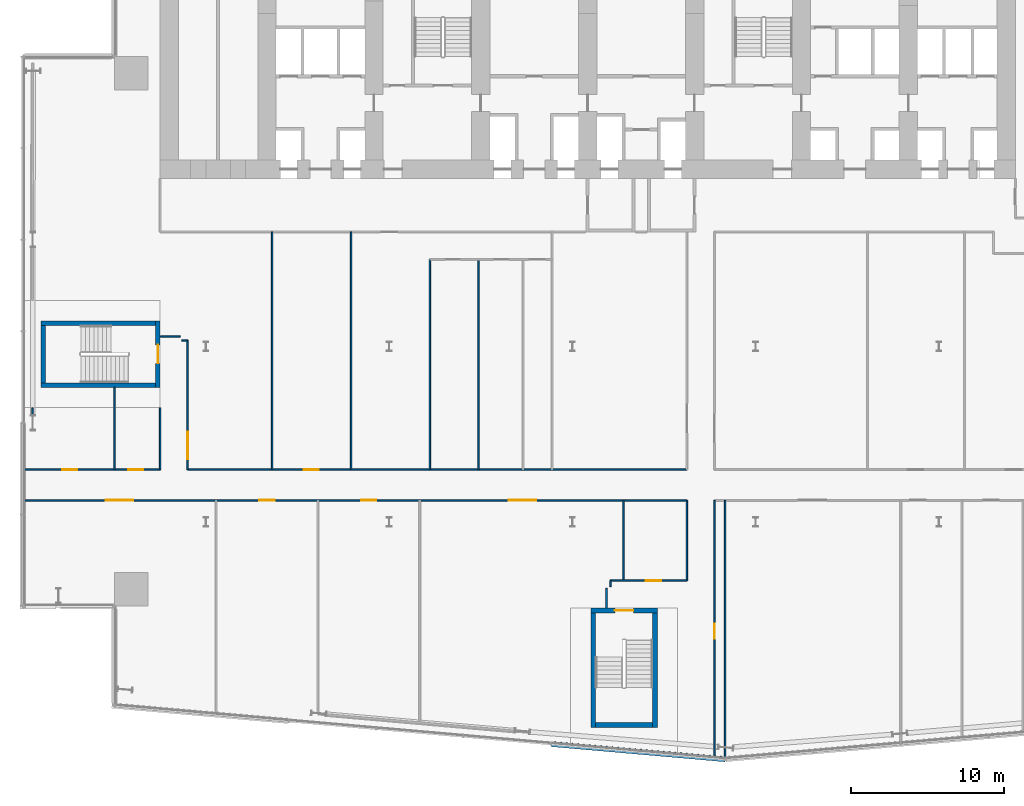
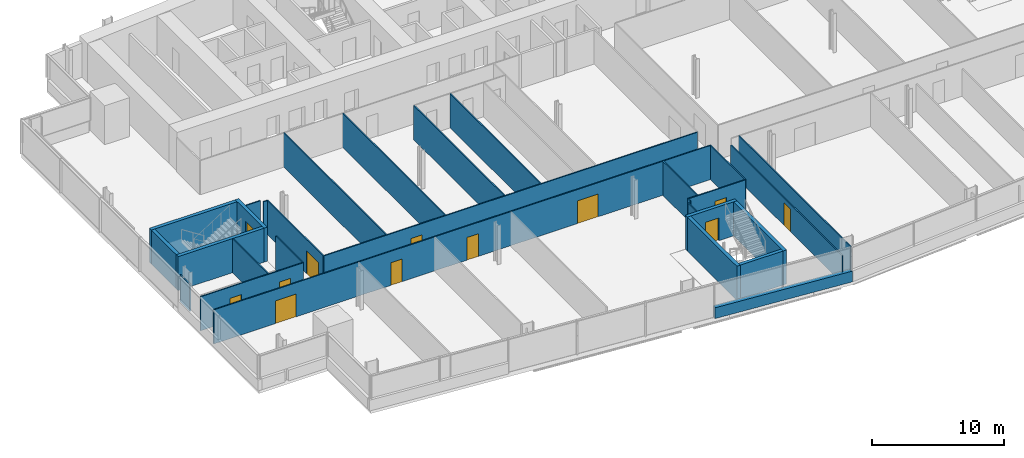
# One storey, part 13 of 24: 29 walls, 12 doors, 12 openings.
"""IFC4 building model written with IfcOpenShell, lengths in metres."""

from ifc_helpers import new_model, si_unit, direction, frame, frame_2d, origin, place, context, subcontext, project, spatial, rectangle, extrude, material, layer, layer_set, type_object, element, fill, save


model = new_model("IFC4")

# Units and contexts
model_context = context("Model", 3, precision=1e-05, world=origin(), true_north=direction((0.0, 1.0)))
body_context = subcontext(model_context, "Body", "Model", "MODEL_VIEW")
ifc_project = project(units=[si_unit("LENGTHUNIT", "METRE"), si_unit("AREAUNIT", "SQUARE_METRE"), si_unit("VOLUMEUNIT", "CUBIC_METRE"), si_unit("PLANEANGLEUNIT", "RADIAN"), si_unit("MASSUNIT", "GRAM", prefix="KILO")], contexts=[model_context])

# Site, building, storey
site_placement = place(None, origin())
site = spatial("IfcSite", under=ifc_project, at=site_placement, CompositionType="ELEMENT")
building_placement = place(site_placement, origin())
building = spatial("IfcBuilding", under=site, at=building_placement, Name="Wharfspan Tower", CompositionType="ELEMENT")
storey_placement = place(building_placement, frame((0.0, 0.0, 88.300049)))
storey = spatial("IfcBuildingStorey", under=building, at=storey_placement, Name="L19", CompositionType="ELEMENT", Elevation=88.300049)

# Wall, openings, doors
ifc_material_1 = material(Name="Gypsum board on steel studs", Category="steel")
ifc_layer_1 = layer(ifc_material_1, 0.100098)
ifc_layer_set_1 = layer_set([ifc_layer_1], Name="Gypsum board on steel studs")
wall_type_1 = type_object("IfcWallType", Name="Compartment wall 100 EI 60", PredefinedType="PARTITIONING", material=ifc_layer_set_1)
wall_1_placement = place(storey_placement, frame((0.02002, 12.925049, 0.0), z_axis=(0.0, 0.0, 1.0), x_axis=(1.0, 0.0, 0.0)))
wall_1 = element("IfcWall", 1, at=wall_1_placement, inside=storey, type_object=wall_type_1, Name="Partition L19.w001", PredefinedType="PARTITIONING", context=body_context, shape_type="SweptSolid", body=[
    extrude(rectangle(XDim=43.47998, YDim=0.100098, at=frame_2d((21.73999, 0.0))), origin(), (0.0, 0.0, 1.0), 3.149902),
])
opening_1_placement = place(wall_1_placement, frame((5.405029, 0.0, 0.0)))
opening_1 = element("IfcOpeningElement", 2, at=opening_1_placement, cuts=wall_1, Name="Opening A5-03", PredefinedType="OPENING", context=body_context, shape_type="SweptSolid", body=[
    extrude(rectangle(XDim=1.800049, YDim=2.100098, at=frame_2d((0.899902, 1.050049))), frame((0.0, 0.060059, 0.0), z_axis=(0.0, -1.0, 0.0), x_axis=(1.0, 0.0, 0.0)), (0.0, 0.0, 1.0), 0.120117),
])
opening_2_placement = place(wall_1_placement, frame((15.475098, 0.0, 0.0)))
opening_2 = element("IfcOpeningElement", 3, at=opening_2_placement, cuts=wall_1, Name="Opening A5-04", PredefinedType="OPENING", context=body_context, shape_type="SweptSolid", body=[
    extrude(rectangle(XDim=1.0, YDim=2.100098, at=frame_2d((0.5, 1.050049))), frame((0.0, 0.060059, 0.0), z_axis=(0.0, -1.0, 0.0), x_axis=(1.0, 0.0, 0.0)), (0.0, 0.0, 1.0), 0.120117),
])
opening_3_placement = place(wall_1_placement, frame((22.139893, 0.0, 0.0)))
opening_3 = element("IfcOpeningElement", 4, at=opening_3_placement, cuts=wall_1, Name="Opening A5-05", PredefinedType="OPENING", context=body_context, shape_type="SweptSolid", body=[
    extrude(rectangle(XDim=1.0, YDim=2.100098, at=frame_2d((0.5, 1.050049))), frame((0.0, 0.060059, 0.0), z_axis=(0.0, -1.0, 0.0), x_axis=(1.0, 0.0, 0.0)), (0.0, 0.0, 1.0), 0.120117),
])
opening_4_placement = place(wall_1_placement, frame((31.804932, 0.0, 0.0)))
opening_4 = element("IfcOpeningElement", 5, at=opening_4_placement, cuts=wall_1, Name="Opening A5-06", PredefinedType="OPENING", context=body_context, shape_type="SweptSolid", body=[
    extrude(rectangle(XDim=1.800049, YDim=2.100098, at=frame_2d((0.899902, 1.050049))), frame((0.0, 0.060059, 0.0), z_axis=(0.0, -1.0, 0.0), x_axis=(1.0, 0.0, 0.0)), (0.0, 0.0, 1.0), 0.120117),
])
ifc_material_2 = material(Name="Fire-rated timber door leaf in steel frame", Category="steel")
door_type_1 = type_object("IfcDoorType", Name="Door 1000 FD30S Left", OperationType="SINGLE_SWING_LEFT", PredefinedType="DOOR", material=ifc_material_2)
door_1_placement = place(opening_2_placement, origin())
door_1 = element("IfcDoor", 6, at=door_1_placement, inside=storey, type_object=door_type_1, Name="Door A5-04", OperationType="SINGLE_SWING_LEFT", OverallHeight=2.100098, OverallWidth=1.0, PredefinedType="DOOR", context=body_context, shape_type="SweptSolid", body=[
    extrude(rectangle(XDim=1.0, YDim=2.100098, at=frame_2d((0.5, 1.050049))), frame((0.0, 0.024902, 0.0), z_axis=(0.0, -1.0, 0.0), x_axis=(1.0, 0.0, 0.0)), (0.0, 0.0, 1.0), 0.050049),
])
fill(opening_2, door_1)
door_type_2 = type_object("IfcDoorType", Name="Door 1000 FD30S Right", OperationType="SINGLE_SWING_RIGHT", PredefinedType="DOOR", material=ifc_material_2)
door_2_placement = place(opening_3_placement, origin())
door_2 = element("IfcDoor", 7, at=door_2_placement, inside=storey, type_object=door_type_2, Name="Door A5-05", OperationType="SINGLE_SWING_RIGHT", OverallHeight=2.100098, OverallWidth=1.0, PredefinedType="DOOR", context=body_context, shape_type="SweptSolid", body=[
    extrude(rectangle(XDim=1.0, YDim=2.100098, at=frame_2d((0.5, 1.050049))), frame((0.0, 0.024902, 0.0), z_axis=(0.0, -1.0, 0.0), x_axis=(1.0, 0.0, 0.0)), (0.0, 0.0, 1.0), 0.050049),
])
fill(opening_3, door_2)
door_type_3 = type_object("IfcDoorType", Name="Door 1800 FD30S Double", OperationType="DOUBLE_DOOR_SINGLE_SWING", PredefinedType="DOOR", material=ifc_material_2)
door_3_placement = place(opening_1_placement, origin())
door_3 = element("IfcDoor", 8, at=door_3_placement, inside=storey, type_object=door_type_3, Name="Door A5-03", OperationType="DOUBLE_DOOR_SINGLE_SWING", OverallHeight=2.100098, OverallWidth=1.800049, PredefinedType="DOOR", context=body_context, shape_type="SweptSolid", body=[
    extrude(rectangle(XDim=1.800049, YDim=2.100098, at=frame_2d((0.899902, 1.050049))), frame((0.0, 0.024902, 0.0), z_axis=(0.0, -1.0, 0.0), x_axis=(1.0, 0.0, 0.0)), (0.0, 0.0, 1.0), 0.050049),
])
fill(opening_1, door_3)
door_4_placement = place(opening_4_placement, origin())
door_4 = element("IfcDoor", 9, at=door_4_placement, inside=storey, type_object=door_type_3, Name="Door A5-06", OperationType="DOUBLE_DOOR_SINGLE_SWING", OverallHeight=2.100098, OverallWidth=1.800049, PredefinedType="DOOR", context=body_context, shape_type="SweptSolid", body=[
    extrude(rectangle(XDim=1.800049, YDim=2.100098, at=frame_2d((0.899902, 1.050049))), frame((0.0, 0.024902, 0.0), z_axis=(0.0, -1.0, 0.0), x_axis=(1.0, 0.0, 0.0)), (0.0, 0.0, 1.0), 0.050049),
])
fill(opening_4, door_4)

wall_2_placement = place(storey_placement, frame((0.02002, 14.929932, 0.0), z_axis=(0.0, 0.0, 1.0), x_axis=(1.0, 0.0, 0.0)))
wall_2 = element("IfcWall", 10, at=wall_2_placement, inside=storey, type_object=wall_type_1, Name="Partition L19.w002", PredefinedType="PARTITIONING", context=body_context, shape_type="SweptSolid", body=[
    extrude(rectangle(XDim=8.97998, YDim=0.100098, at=frame_2d((4.48999, 0.0))), origin(), (0.0, 0.0, 1.0), 3.149902),
])
opening_5_placement = place(wall_2_placement, frame((2.560059, 0.0, 0.0)))
opening_5 = element("IfcOpeningElement", 11, at=opening_5_placement, cuts=wall_2, Name="Opening A5-12", PredefinedType="OPENING", context=body_context, shape_type="SweptSolid", body=[
    extrude(rectangle(XDim=1.0, YDim=2.100098, at=frame_2d((0.5, 1.050049))), frame((0.0, 0.060059, 0.0), z_axis=(0.0, -1.0, 0.0), x_axis=(1.0, 0.0, 0.0)), (0.0, 0.0, 1.0), 0.120117),
])
opening_6_placement = place(wall_2_placement, frame((6.879883, 0.0, 0.0)))
opening_6 = element("IfcOpeningElement", 12, at=opening_6_placement, cuts=wall_2, Name="Opening A5-13", PredefinedType="OPENING", context=body_context, shape_type="SweptSolid", body=[
    extrude(rectangle(XDim=1.0, YDim=2.100098, at=frame_2d((0.5, 1.050049))), frame((0.0, 0.060059, 0.0), z_axis=(0.0, -1.0, 0.0), x_axis=(1.0, 0.0, 0.0)), (0.0, 0.0, 1.0), 0.120117),
])
door_5_placement = place(opening_5_placement, origin())
door_5 = element("IfcDoor", 13, at=door_5_placement, inside=storey, type_object=door_type_1, Name="Door A5-12", OperationType="SINGLE_SWING_LEFT", OverallHeight=2.100098, OverallWidth=1.0, PredefinedType="DOOR", context=body_context, shape_type="SweptSolid", body=[
    extrude(rectangle(XDim=1.0, YDim=2.100098, at=frame_2d((0.5, 1.050049))), frame((0.0, 0.024902, 0.0), z_axis=(0.0, -1.0, 0.0), x_axis=(1.0, 0.0, 0.0)), (0.0, 0.0, 1.0), 0.050049),
])
fill(opening_5, door_5)
door_6_placement = place(opening_6_placement, origin())
door_6 = element("IfcDoor", 14, at=door_6_placement, inside=storey, type_object=door_type_2, Name="Door A5-13", OperationType="SINGLE_SWING_RIGHT", OverallHeight=2.100098, OverallWidth=1.0, PredefinedType="DOOR", context=body_context, shape_type="SweptSolid", body=[
    extrude(rectangle(XDim=1.0, YDim=2.100098, at=frame_2d((0.5, 1.050049))), frame((0.0, 0.024902, 0.0), z_axis=(0.0, -1.0, 0.0), x_axis=(1.0, 0.0, 0.0)), (0.0, 0.0, 1.0), 0.050049),
])
fill(opening_6, door_6)

# Walls
wall_3_placement = place(storey_placement, frame((6.0, 14.929932, 0.0), z_axis=(0.0, 0.0, 1.0), x_axis=(0.0, 1.0, 0.0)))
element("IfcWall", 15, at=wall_3_placement, inside=storey, type_object=wall_type_1, Name="Partition L19.w006", PredefinedType="PARTITIONING", context=body_context, shape_type="SweptSolid", body=[
    extrude(rectangle(XDim=5.39502, YDim=0.100098, at=frame_2d((2.69751, 0.0))), origin(), (0.0, 0.0, 1.0), 3.149902),
])
wall_4_placement = place(storey_placement, frame((9.0, 14.929932, 0.0), z_axis=(0.0, 0.0, 1.0), x_axis=(0.0, 1.0, 0.0)))
element("IfcWall", 16, at=wall_4_placement, inside=storey, type_object=wall_type_1, Name="Partition L19.w007", PredefinedType="PARTITIONING", context=body_context, shape_type="SweptSolid", body=[
    extrude(rectangle(XDim=4.050049, YDim=0.100098, at=frame_2d((2.024902, 0.0))), origin(), (0.0, 0.0, 1.0), 3.149902),
])
wall_5_placement = place(storey_placement, frame((9.02002, 23.649902, 0.0), z_axis=(0.0, 0.0, 1.0), x_axis=(1.0, 0.0, 0.0)))
element("IfcWall", 17, at=wall_5_placement, inside=storey, type_object=wall_type_1, Name="Partition L19.w010", PredefinedType="PARTITIONING", context=body_context, shape_type="SweptSolid", body=[
    extrude(rectangle(XDim=1.280029, YDim=0.100098, at=frame_2d((0.640137, 0.0))), origin(), (0.0, 0.0, 1.0), 3.149902),
])
wall_6_placement = place(storey_placement, frame((10.419922, 23.399902, 0.0), z_axis=(0.0, 0.0, 1.0), x_axis=(1.0, 0.0, 0.0)))
element("IfcWall", 18, at=wall_6_placement, inside=storey, type_object=wall_type_1, Name="Partition L19.w011", PredefinedType="PARTITIONING", context=body_context, shape_type="SweptSolid", body=[
    extrude(rectangle(XDim=0.380127, YDim=0.100098, at=frame_2d((0.189941, 0.0))), origin(), (0.0, 0.0, 1.0), 3.149902),
])

# Wall, opening, door
wall_7_placement = place(storey_placement, frame((10.800049, 14.929932, 0.0), z_axis=(0.0, 0.0, 1.0), x_axis=(0.0, 1.0, 0.0)))
wall_7 = element("IfcWall", 19, at=wall_7_placement, inside=storey, type_object=wall_type_1, Name="Partition L19.w012", PredefinedType="PARTITIONING", context=body_context, shape_type="SweptSolid", body=[
    extrude(rectangle(XDim=8.469971, YDim=0.100098, at=frame_2d((4.234863, 0.0))), origin(), (0.0, 0.0, 1.0), 3.149902),
])
opening_7_placement = place(wall_7_placement, frame((0.685059, 0.0, 0.0)))
opening_7 = element("IfcOpeningElement", 20, at=opening_7_placement, cuts=wall_7, Name="Opening A5-18", PredefinedType="OPENING", context=body_context, shape_type="SweptSolid", body=[
    extrude(rectangle(XDim=1.800049, YDim=2.100098, at=frame_2d((0.899902, 1.050049))), frame((0.0, 0.060059, 0.0), z_axis=(0.0, -1.0, 0.0), x_axis=(1.0, 0.0, 0.0)), (0.0, 0.0, 1.0), 0.120117),
])
door_7_placement = place(opening_7_placement, origin())
door_7 = element("IfcDoor", 21, at=door_7_placement, inside=storey, type_object=door_type_3, Name="Door A5-18", OperationType="DOUBLE_DOOR_SINGLE_SWING", OverallHeight=2.100098, OverallWidth=1.800049, PredefinedType="DOOR", context=body_context, shape_type="SweptSolid", body=[
    extrude(rectangle(XDim=1.800049, YDim=2.100098, at=frame_2d((0.899902, 1.050049))), frame((0.0, 0.024902, 0.0), z_axis=(0.0, -1.0, 0.0), x_axis=(1.0, 0.0, 0.0)), (0.0, 0.0, 1.0), 0.050049),
])
fill(opening_7, door_7)

wall_8_placement = place(storey_placement, frame((10.800049, 14.929932, 0.0), z_axis=(0.0, 0.0, 1.0), x_axis=(1.0, 0.0, 0.0)))
wall_8 = element("IfcWall", 22, at=wall_8_placement, inside=storey, type_object=wall_type_1, Name="Partition L19.w013", PredefinedType="PARTITIONING", context=body_context, shape_type="SweptSolid", body=[
    extrude(rectangle(XDim=32.699951, YDim=0.100098, at=frame_2d((16.350098, 0.0))), origin(), (0.0, 0.0, 1.0), 3.149902),
])
opening_8_placement = place(wall_8_placement, frame((7.600098, 0.0, 0.0)))
opening_8 = element("IfcOpeningElement", 23, at=opening_8_placement, cuts=wall_8, Name="Opening A5-14", PredefinedType="OPENING", context=body_context, shape_type="SweptSolid", body=[
    extrude(rectangle(XDim=1.0, YDim=2.100098, at=frame_2d((0.5, 1.050049))), frame((0.0, 0.060059, 0.0), z_axis=(0.0, -1.0, 0.0), x_axis=(1.0, 0.0, 0.0)), (0.0, 0.0, 1.0), 0.120117),
])
door_8_placement = place(opening_8_placement, origin())
door_8 = element("IfcDoor", 24, at=door_8_placement, inside=storey, type_object=door_type_1, Name="Door A5-14", OperationType="SINGLE_SWING_LEFT", OverallHeight=2.100098, OverallWidth=1.0, PredefinedType="DOOR", context=body_context, shape_type="SweptSolid", body=[
    extrude(rectangle(XDim=1.0, YDim=2.100098, at=frame_2d((0.5, 1.050049))), frame((0.0, 0.024902, 0.0), z_axis=(0.0, -1.0, 0.0), x_axis=(1.0, 0.0, 0.0)), (0.0, 0.0, 1.0), 0.050049),
])
fill(opening_8, door_8)

# Walls
for number, where, z_axis, x_axis, name in (
    (25, (16.334961, 14.929932, 0.0), (0.0, 0.0, 1.0), (0.0, 1.0, 0.0), "Partition L19.w015"),
    (26, (21.5, 14.929932, 0.0), (0.0, 0.0, 1.0), (0.0, 1.0, 0.0), "Partition L19.w017"),
):
    element("IfcWall", number, at=place(storey_placement, frame(where, z_axis=z_axis, x_axis=x_axis)), inside=storey, type_object=wall_type_1, Name=name, PredefinedType="PARTITIONING", context=body_context, shape_type="SweptSolid", body=[
        extrude(rectangle(XDim=15.570068, YDim=0.100098, at=frame_2d((7.785156, 0.0))), origin(), (0.0, 0.0, 1.0), 3.149902),
    ])
for number, where, z_axis, x_axis, name in (
    (27, (26.665039, 14.929932, 0.0), (0.0, 0.0, 1.0), (0.0, 1.0, 0.0), "Partition L19.w019"),
    (28, (29.840088, 14.929932, 0.0), (0.0, 0.0, 1.0), (0.0, 1.0, 0.0), "Partition L19.w021"),
):
    element("IfcWall", number, at=place(storey_placement, frame(where, z_axis=z_axis, x_axis=x_axis)), inside=storey, type_object=wall_type_1, Name=name, PredefinedType="PARTITIONING", context=body_context, shape_type="SweptSolid", body=[
        extrude(rectangle(XDim=13.77002, YDim=0.100098, at=frame_2d((6.88501, 0.0))), origin(), (0.0, 0.0, 1.0), 3.149902),
    ])
wall_9_placement = place(storey_placement, frame((38.22998, 5.880615, 0.0), z_axis=(0.0, 0.0, 1.0), x_axis=(0.0, 1.0, 0.0)))
element("IfcWall", 29, at=wall_9_placement, inside=storey, type_object=wall_type_1, Name="Partition L19.w025", PredefinedType="PARTITIONING", context=body_context, shape_type="SweptSolid", body=[
    extrude(rectangle(XDim=1.279297, YDim=0.100098, at=frame_2d((0.639648, 0.0))), origin(), (0.0, 0.0, 1.0), 3.149902),
])
wall_10_placement = place(storey_placement, frame((38.47998, 7.280029, 0.0), z_axis=(0.0, 0.0, 1.0), x_axis=(0.0, 1.0, 0.0)))
element("IfcWall", 30, at=wall_10_placement, inside=storey, type_object=wall_type_1, Name="Partition L19.w026", PredefinedType="PARTITIONING", context=body_context, shape_type="SweptSolid", body=[
    extrude(rectangle(XDim=0.379883, YDim=0.100098, at=frame_2d((0.189941, 0.0))), origin(), (0.0, 0.0, 1.0), 3.149902),
])

# Wall, opening, door
wall_11_placement = place(storey_placement, frame((38.485107, 7.659912, 0.0), z_axis=(0.0, 0.0, 1.0), x_axis=(1.0, 0.0, 0.0)))
wall_11 = element("IfcWall", 31, at=wall_11_placement, inside=storey, type_object=wall_type_1, Name="Partition L19.w027", PredefinedType="PARTITIONING", context=body_context, shape_type="SweptSolid", body=[
    extrude(rectangle(XDim=5.014893, YDim=0.100098, at=frame_2d((2.507324, 0.0))), origin(), (0.0, 0.0, 1.0), 3.149902),
])
opening_9_placement = place(wall_11_placement, frame((2.314941, 0.0, 0.0)))
opening_9 = element("IfcOpeningElement", 32, at=opening_9_placement, cuts=wall_11, Name="Opening A5-02", PredefinedType="OPENING", context=body_context, shape_type="SweptSolid", body=[
    extrude(rectangle(XDim=1.0, YDim=2.100098, at=frame_2d((0.5, 1.050049))), frame((0.0, 0.060059, 0.0), z_axis=(0.0, -1.0, 0.0), x_axis=(1.0, 0.0, 0.0)), (0.0, 0.0, 1.0), 0.120117),
])
door_9_placement = place(opening_9_placement, origin())
door_9 = element("IfcDoor", 33, at=door_9_placement, inside=storey, type_object=door_type_2, Name="Door A5-02", OperationType="SINGLE_SWING_RIGHT", OverallHeight=2.100098, OverallWidth=1.0, PredefinedType="DOOR", context=body_context, shape_type="SweptSolid", body=[
    extrude(rectangle(XDim=1.0, YDim=2.100098, at=frame_2d((0.5, 1.050049))), frame((0.0, 0.024902, 0.0), z_axis=(0.0, -1.0, 0.0), x_axis=(1.0, 0.0, 0.0)), (0.0, 0.0, 1.0), 0.050049),
])
fill(opening_9, door_9)

# Walls
for number, where, z_axis, x_axis, name in (
    (34, (39.334961, 7.659912, 0.0), (0.0, 0.0, 1.0), (0.0, 1.0, 0.0), "Partition L19.w028"),
    (35, (43.5, 7.659912, 0.0), (0.0, 0.0, 1.0), (0.0, 1.0, 0.0), "Partition L19.w029"),
):
    element("IfcWall", number, at=place(storey_placement, frame(where, z_axis=z_axis, x_axis=x_axis)), inside=storey, type_object=wall_type_1, Name=name, PredefinedType="PARTITIONING", context=body_context, shape_type="SweptSolid", body=[
        extrude(rectangle(XDim=5.265137, YDim=0.100098, at=frame_2d((2.632568, 0.0))), origin(), (0.0, 0.0, 1.0), 3.149902),
    ])

# Wall, opening, door
wall_12_placement = place(storey_placement, frame((45.300049, -3.943115, 0.0), z_axis=(0.0, 0.0, 1.0), x_axis=(0.0, 1.0, 0.0)))
wall_12 = element("IfcWall", 36, at=wall_12_placement, inside=storey, type_object=wall_type_1, Name="Partition L19.w031", PredefinedType="PARTITIONING", context=body_context, shape_type="SweptSolid", body=[
    extrude(rectangle(XDim=16.868164, YDim=0.100098, at=frame_2d((8.434082, 0.0))), origin(), (0.0, 0.0, 1.0), 2.530029),
])
opening_10_placement = place(wall_12_placement, frame((7.798096, 0.0, 0.0)))
opening_10 = element("IfcOpeningElement", 37, at=opening_10_placement, cuts=wall_12, Name="Opening A5-01", PredefinedType="OPENING", context=body_context, shape_type="SweptSolid", body=[
    extrude(rectangle(XDim=1.0, YDim=2.100098, at=frame_2d((0.5, 1.050049))), frame((0.0, 0.060059, 0.0), z_axis=(0.0, -1.0, 0.0), x_axis=(1.0, 0.0, 0.0)), (0.0, 0.0, 1.0), 0.120117),
])
door_10_placement = place(opening_10_placement, origin())
door_10 = element("IfcDoor", 38, at=door_10_placement, inside=storey, type_object=door_type_1, Name="Door A5-01", OperationType="SINGLE_SWING_LEFT", OverallHeight=2.100098, OverallWidth=1.0, PredefinedType="DOOR", context=body_context, shape_type="SweptSolid", body=[
    extrude(rectangle(XDim=1.0, YDim=2.100098, at=frame_2d((0.5, 1.050049))), frame((0.0, 0.024902, 0.0), z_axis=(0.0, -1.0, 0.0), x_axis=(1.0, 0.0, 0.0)), (0.0, 0.0, 1.0), 0.050049),
])
fill(opening_10, door_10)

# Walls
wall_13_placement = place(storey_placement, frame((46.0, -4.004395, 0.0), z_axis=(0.0, 0.0, 1.0), x_axis=(0.0, 1.0, 0.0)))
element("IfcWall", 39, at=wall_13_placement, inside=storey, type_object=wall_type_1, Name="Partition L19.w036", PredefinedType="PARTITIONING", context=body_context, shape_type="SweptSolid", body=[
    extrude(rectangle(XDim=16.929443, YDim=0.100098, at=frame_2d((8.464844, 0.0))), origin(), (0.0, 0.0, 1.0), 3.149902),
])
ifc_layer_2 = layer(ifc_material_1, 0.100098)
ifc_layer_set_2 = layer_set([ifc_layer_2], Name="Gypsum board on steel studs")
wall_type_2 = type_object("IfcWallType", Name="Partition 100", PredefinedType="PARTITIONING", material=ifc_layer_set_2)
wall_14_placement = place(storey_placement, frame((0.629883, 17.5, 0.0), z_axis=(0.0, 0.0, 1.0), x_axis=(0.0, 1.0, 0.0)))
element("IfcWall", 40, at=wall_14_placement, inside=storey, type_object=wall_type_2, Name="Partition L19.w003", PredefinedType="PARTITIONING", context=body_context, shape_type="SweptSolid", body=[
    extrude(rectangle(XDim=1.47998, YDim=0.100098, at=frame_2d((0.73999, 0.0))), origin(), (0.0, 0.0, 1.0), 2.530029),
])
ifc_material_3 = material(Name="Concrete C40/50", Category="concrete")
ifc_layer_3 = layer(ifc_material_3, 0.350098)
ifc_layer_set_3 = layer_set([ifc_layer_3], Name="Concrete C40/50")
wall_type_3 = type_object("IfcWallType", Name="SPANDREL EXPOSED CONCRETE 350", PredefinedType="SOLIDWALL", material=ifc_layer_set_3)
wall_15_placement = place(storey_placement, frame((34.60083, -3.032227, 0.0), z_axis=(0.0, 0.0, 1.0), x_axis=(0.996193, -0.087148, 0.0)))
element("IfcWall", 41, at=wall_15_placement, inside=storey, type_object=wall_type_3, Name="Spandrel upstand L19 S1 2", PredefinedType="SOLIDWALL", context=body_context, shape_type="SweptSolid", body=[
    extrude(rectangle(XDim=11.458008, YDim=0.350098, at=frame_2d((5.729004, 0.0))), origin(), (0.0, 0.0, 1.0), 1.0),
])

# Wall, opening, door
ifc_layer_4 = layer(ifc_material_3, 0.300049)
ifc_layer_set_4 = layer_set([ifc_layer_4], Name="Concrete C40/50")
wall_type_4 = type_object("IfcWallType", Name="Stair core wall 300", PredefinedType="SHEAR", material=ifc_layer_set_4)
wall_16_placement = place(storey_placement, frame((8.850098, 20.324951, 0.0), z_axis=(0.0, 0.0, 1.0), x_axis=(0.0, 1.0, 0.0)))
wall_16 = element("IfcWall", 42, at=wall_16_placement, inside=storey, type_object=wall_type_4, Name="ST3 stair enclosure wall L19", PredefinedType="SHEAR", context=body_context, shape_type="SweptSolid", body=[
    extrude(rectangle(XDim=4.350098, YDim=0.300049, at=frame_2d((2.175049, 0.0))), origin(), (0.0, 0.0, 1.0), 3.149902),
])
opening_11_placement = place(wall_16_placement, frame((1.574951, 0.0, 0.0)))
opening_11 = element("IfcOpeningElement", 43, at=opening_11_placement, cuts=wall_16, Name="Opening SD3.L19", PredefinedType="OPENING", context=body_context, shape_type="SweptSolid", body=[
    extrude(rectangle(XDim=1.199951, YDim=2.100098, at=frame_2d((0.600098, 1.050049))), frame((0.0, 0.159912, 0.0), z_axis=(0.0, -1.0, 0.0), x_axis=(1.0, 0.0, 0.0)), (0.0, 0.0, 1.0), 0.320068),
])
ifc_material_4 = material(Name="Steel door leaf", Category="steel")
door_type_4 = type_object("IfcDoorType", Name="Stair door 1200x2100", OperationType="SINGLE_SWING_LEFT", PredefinedType="DOOR", material=ifc_material_4)
door_11_placement = place(opening_11_placement, origin())
door_11 = element("IfcDoor", 44, at=door_11_placement, inside=storey, type_object=door_type_4, Name="sd:L19:ST3z1", OperationType="SINGLE_SWING_RIGHT", OverallHeight=2.100098, OverallWidth=1.199951, PredefinedType="DOOR", context=body_context, shape_type="SweptSolid", body=[
    extrude(rectangle(XDim=1.199951, YDim=2.100098, at=frame_2d((0.600098, 1.050049))), frame((0.0, 0.024902, 0.0), z_axis=(0.0, -1.0, 0.0), x_axis=(1.0, 0.0, 0.0)), (0.0, 0.0, 1.0), 0.050049),
])
fill(opening_11, door_11)

wall_17_placement = place(storey_placement, frame((37.208252, 5.710693, 0.0), z_axis=(0.0, 0.0, 1.0), x_axis=(1.0, 0.0, 0.0)))
wall_17 = element("IfcWall", 45, at=wall_17_placement, inside=storey, type_object=wall_type_4, Name="ST4 stair enclosure wall L19", PredefinedType="SHEAR", context=body_context, shape_type="SweptSolid", body=[
    extrude(rectangle(XDim=4.350098, YDim=0.300049, at=frame_2d((2.175049, 0.0))), origin(), (0.0, 0.0, 1.0), 3.149902),
])
opening_12_placement = place(wall_17_placement, frame((1.574951, 0.0, 0.0)))
opening_12 = element("IfcOpeningElement", 46, at=opening_12_placement, cuts=wall_17, Name="Opening SD4.L19", PredefinedType="OPENING", context=body_context, shape_type="SweptSolid", body=[
    extrude(rectangle(XDim=1.199951, YDim=2.100098, at=frame_2d((0.600098, 1.050049))), frame((0.0, 0.159912, 0.0), z_axis=(0.0, -1.0, 0.0), x_axis=(1.0, 0.0, 0.0)), (0.0, 0.0, 1.0), 0.320068),
])
door_12_placement = place(opening_12_placement, origin())
door_12 = element("IfcDoor", 47, at=door_12_placement, inside=storey, type_object=door_type_4, Name="sd:L19:ST4z1", OperationType="SINGLE_SWING_RIGHT", OverallHeight=2.100098, OverallWidth=1.199951, PredefinedType="DOOR", context=body_context, shape_type="SweptSolid", body=[
    extrude(rectangle(XDim=1.199951, YDim=2.100098, at=frame_2d((0.600098, 1.050049))), frame((0.0, 0.024902, 0.0), z_axis=(0.0, -1.0, 0.0), x_axis=(1.0, 0.0, 0.0)), (0.0, 0.0, 1.0), 0.050049),
])
fill(opening_12, door_12)

# Walls
for number, where, z_axis, x_axis, name in (
    (48, (1.199951, 20.475098, 0.0), (0.0, 0.0, 1.0), (1.0, 0.0, 0.0), "ST3 stair enclosure wall L19"),
    (49, (1.199951, 24.524902, 0.0), (0.0, 0.0, 1.0), (1.0, 0.0, 0.0), "ST3 stair enclosure wall L19"),
):
    element("IfcWall", number, at=place(storey_placement, frame(where, z_axis=z_axis, x_axis=x_axis)), inside=storey, type_object=wall_type_4, Name=name, PredefinedType="SHEAR", context=body_context, shape_type="SweptSolid", body=[
        extrude(rectangle(XDim=7.5, YDim=0.300049, at=frame_2d((3.75, 0.0))), origin(), (0.0, 0.0, 1.0), 3.149902),
    ])
wall_18_placement = place(storey_placement, frame((1.350098, 20.625, 0.0), z_axis=(0.0, 0.0, 1.0), x_axis=(0.0, 1.0, 0.0)))
element("IfcWall", 50, at=wall_18_placement, inside=storey, type_object=wall_type_4, Name="ST3 stair enclosure wall L19", PredefinedType="SHEAR", context=body_context, shape_type="SweptSolid", body=[
    extrude(rectangle(XDim=3.75, YDim=0.300049, at=frame_2d((1.875, 0.0))), origin(), (0.0, 0.0, 1.0), 3.149902),
])
for number, where, z_axis, x_axis, name in (
    (51, (37.358398, -1.939453, 0.0), (0.0, 0.0, 1.0), (0.0, 1.0, 0.0), "ST4 stair enclosure wall L19"),
    (52, (41.408203, -1.939453, 0.0), (0.0, 0.0, 1.0), (0.0, 1.0, 0.0), "ST4 stair enclosure wall L19"),
):
    element("IfcWall", number, at=place(storey_placement, frame(where, z_axis=z_axis, x_axis=x_axis)), inside=storey, type_object=wall_type_4, Name=name, PredefinedType="SHEAR", context=body_context, shape_type="SweptSolid", body=[
        extrude(rectangle(XDim=7.5, YDim=0.300049, at=frame_2d((3.75, 0.0))), origin(), (0.0, 0.0, 1.0), 3.149902),
    ])
wall_19_placement = place(storey_placement, frame((37.508301, -1.789307, 0.0), z_axis=(0.0, 0.0, 1.0), x_axis=(1.0, 0.0, 0.0)))
element("IfcWall", 53, at=wall_19_placement, inside=storey, type_object=wall_type_4, Name="ST4 stair enclosure wall L19", PredefinedType="SHEAR", context=body_context, shape_type="SweptSolid", body=[
    extrude(rectangle(XDim=3.75, YDim=0.300049, at=frame_2d((1.875, 0.0))), origin(), (0.0, 0.0, 1.0), 3.149902),
])

save(model, "model.ifc")
